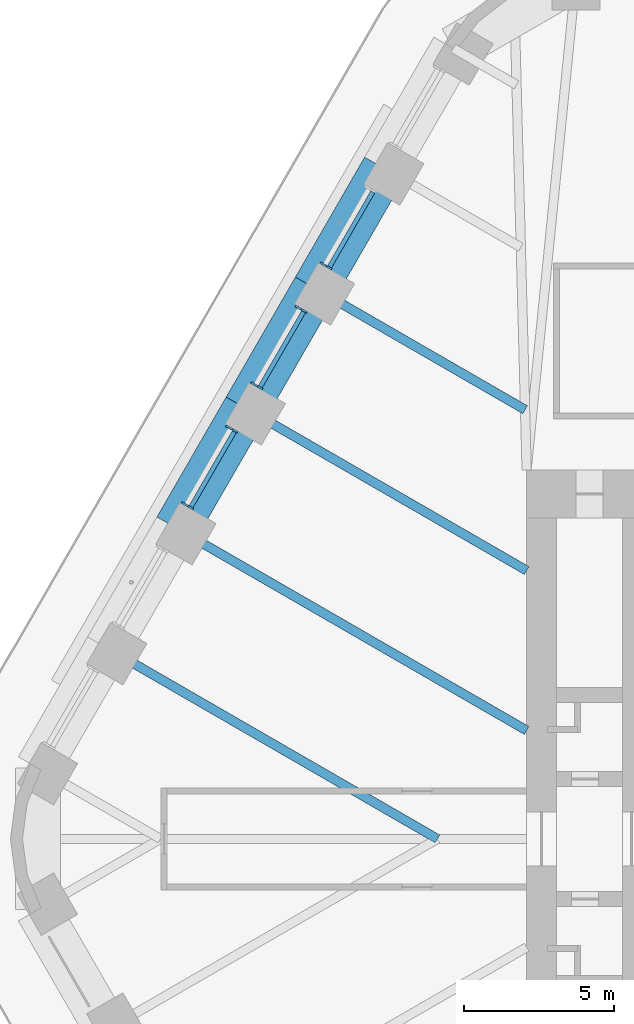
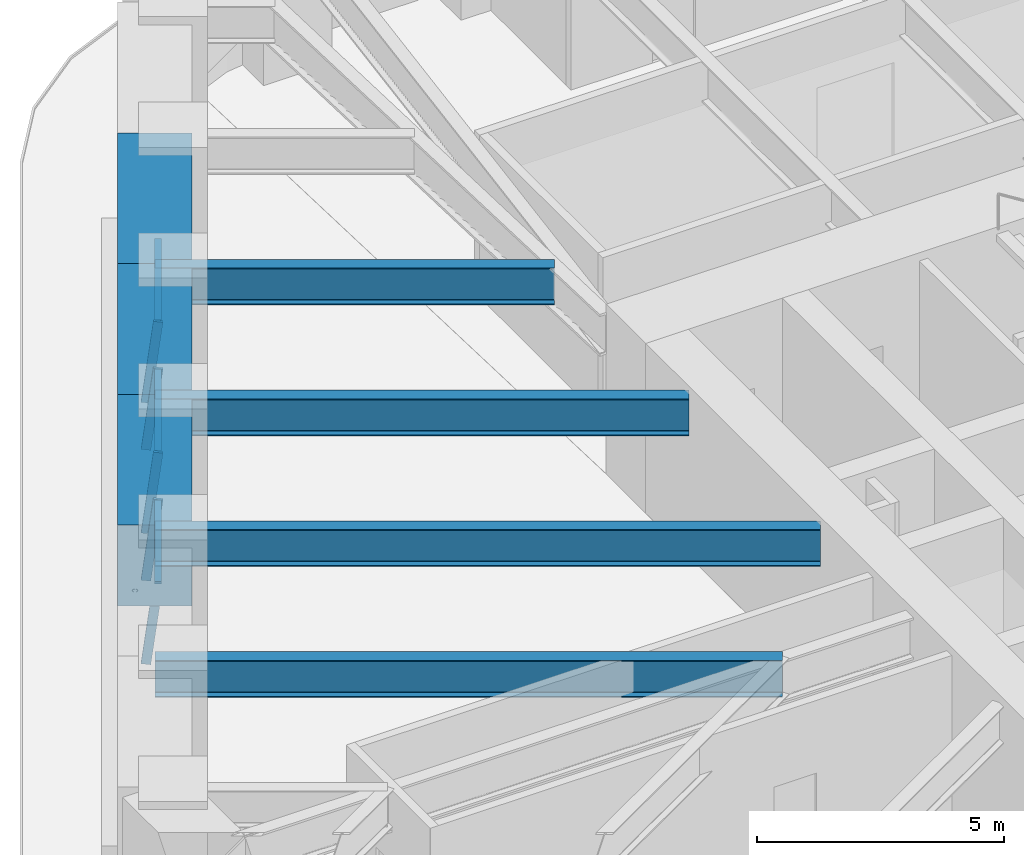
# One storey, part 7 of 20: 8 members, 7 beams, 3 elements without a shape of their own.
"""IFC4 building model written with IfcOpenShell, lengths in metres."""

from ifc_helpers import new_model, si_unit, direction, frame, origin, origin_2d, place, context, subcontext, project, spatial, rectangle, i_section, extrude, material, material_profile, profile_set, type_object, element, aggregate, save


model = new_model("IFC4")

# Units and contexts
model_context = context("Model", 3, precision=1e-05, world=origin(), true_north=direction((0.0, 1.0)))
body_context = subcontext(model_context, "Body", "Model", "MODEL_VIEW")
ifc_project = project(units=[si_unit("LENGTHUNIT", "METRE"), si_unit("AREAUNIT", "SQUARE_METRE"), si_unit("VOLUMEUNIT", "CUBIC_METRE"), si_unit("PLANEANGLEUNIT", "RADIAN"), si_unit("MASSUNIT", "GRAM", prefix="KILO")], contexts=[model_context])

# Site, building, storey
site_placement = place(None, origin())
site = spatial("IfcSite", under=ifc_project, at=site_placement, CompositionType="ELEMENT")
building_placement = place(site_placement, origin())
building = spatial("IfcBuilding", under=site, at=building_placement, Name="Tarfa Lantern Tower", CompositionType="ELEMENT")
storey_placement = place(building_placement, frame((0.0, 0.0, 223.89990234375)))
storey = spatial("IfcBuildingStorey", under=building, at=storey_placement, Name="L50", CompositionType="ELEMENT", Elevation=223.89990234375)

# Curtain wall, member
ifc_material_1 = material(Name="Aluminium framed curtain wall", Category="aluminium")
curtain_wall_type = type_object("IfcCurtainWallType", Name="CW3 CANTED GLAZING HIGH ZONE 2000", PredefinedType="USERDEFINED", material=ifc_material_1)
curtain_wall_1_placement = place(storey_placement, origin())
curtain_wall_1 = element("IfcCurtainWall", 1, at=curtain_wall_1_placement, inside=storey, type_object=curtain_wall_type, Name="CW3 NW L50", ObjectType="CURTAIN WALL", PredefinedType="USERDEFINED")
ifc_material_2 = material(Name="Aluminium mullion", Category="aluminium")
ifc_material_profile_1 = material_profile(ifc_material_2, rectangle(XDim=0.06494140625, YDim=0.199951171875, at=origin_2d()), Name="AL MULLION 65x200")
ifc_profile_set_1 = profile_set([ifc_material_profile_1], Name="Aluminium mullion")
member_type_1 = type_object("IfcMemberType", Name="CWM1 MULLION 65x200", PredefinedType="MULLION", material=ifc_profile_set_1)
member_1_placement = place(storey_placement, frame((-22.302490234375, 19.1708984375, 0.0), z_axis=(0.107439978116, -0.062017213975, 0.992275423596), x_axis=(0.499919672301, 0.866071776036, 0.0)))
member_1 = element("IfcMember", 2, at=member_1_placement, type_object=member_type_1, Name="CW3 mullion 2", PredefinedType="MULLION", context=body_context, shape_type="SweptSolid", body=[
    extrude(rectangle(XDim=0.06494140625, YDim=0.199951171875, at=origin_2d()), origin(), (0.0, 0.0, 1.0), 2.015625),
])

# Curtain wall, members
curtain_wall_2_placement = place(storey_placement, origin())
curtain_wall_2 = element("IfcCurtainWall", 3, at=curtain_wall_2_placement, inside=storey, type_object=curtain_wall_type, Name="CW3 NW L50", ObjectType="CURTAIN WALL", PredefinedType="USERDEFINED")
member_2_placement = place(storey_placement, frame((-23.135009765625, 17.72900390625, 0.0), z_axis=(0.107439978116, -0.062017213975, 0.992275423596), x_axis=(0.499919672301, 0.866071776036, 0.0)))
member_2 = element("IfcMember", 4, at=member_2_placement, type_object=member_type_1, Name="CW3 mullion 1", PredefinedType="MULLION", context=body_context, shape_type="SweptSolid", body=[
    extrude(rectangle(XDim=0.06494140625, YDim=0.199951171875, at=origin_2d()), origin(), (0.0, 0.0, 1.0), 2.015625),
])
member_3_placement = place(storey_placement, frame((-24.61181640625, 15.1708984375, 0.0), z_axis=(0.107439978116, -0.062017213975, 0.992275423596), x_axis=(0.499919672301, 0.866071776036, 0.0)))
member_3 = element("IfcMember", 5, at=member_3_placement, type_object=member_type_1, Name="CW3 mullion 2", PredefinedType="MULLION", context=body_context, shape_type="SweptSolid", body=[
    extrude(rectangle(XDim=0.06494140625, YDim=0.199951171875, at=origin_2d()), origin(), (0.0, 0.0, 1.0), 2.015625),
])

curtain_wall_3_placement = place(storey_placement, origin())
curtain_wall_3 = element("IfcCurtainWall", 6, at=curtain_wall_3_placement, inside=storey, type_object=curtain_wall_type, Name="CW3 NW L50", ObjectType="CURTAIN WALL", PredefinedType="USERDEFINED")
member_4_placement = place(storey_placement, frame((-25.4443359375, 13.72900390625, 0.0), z_axis=(0.107439978116, -0.062017213975, 0.992275423596), x_axis=(0.499919672301, 0.866071776036, 0.0)))
member_4 = element("IfcMember", 7, at=member_4_placement, type_object=member_type_1, Name="CW3 mullion 1", PredefinedType="MULLION", context=body_context, shape_type="SweptSolid", body=[
    extrude(rectangle(XDim=0.06494140625, YDim=0.199951171875, at=origin_2d()), origin(), (0.0, 0.0, 1.0), 2.015625),
])
member_5_placement = place(storey_placement, frame((-26.92138671875, 11.1708984375, 0.0), z_axis=(0.107439978116, -0.062017213975, 0.992275423596), x_axis=(0.499919672301, 0.866071776036, 0.0)))
member_5 = element("IfcMember", 8, at=member_5_placement, type_object=member_type_1, Name="CW3 mullion 2", PredefinedType="MULLION", context=body_context, shape_type="SweptSolid", body=[
    extrude(rectangle(XDim=0.06494140625, YDim=0.199951171875, at=origin_2d()), origin(), (0.0, 0.0, 1.0), 2.015625),
])

# Member
ifc_material_3 = material(Name="Aluminium transom", Category="aluminium")
ifc_material_profile_2 = material_profile(ifc_material_3, rectangle(XDim=0.14990234375, YDim=0.06494140625, at=origin_2d()), Name="AL TRANSOM 150x65")
ifc_profile_set_2 = profile_set([ifc_material_profile_2], Name="Aluminium transom")
member_type_2 = type_object("IfcMemberType", Name="CWT1 TRANSOM 150x65", PredefinedType="USERDEFINED", material=ifc_profile_set_2)
member_6_placement = place(storey_placement, frame((-20.62890625, 21.577880859375, 1.967529296875), z_axis=(-0.499993141028, -0.866029363778, 0.0), x_axis=(0.866029363778, -0.499993141028, 0.0)))
member_6 = element("IfcMember", 9, at=member_6_placement, type_object=member_type_2, Name="CW3 transom 1.2", ObjectType="TRANSOM", PredefinedType="USERDEFINED", context=body_context, shape_type="SweptSolid", body=[
    extrude(rectangle(XDim=0.14990234375, YDim=0.06494140625, at=origin_2d()), origin(), (0.0, 0.0, 1.0), 2.888671875),
])

aggregate(curtain_wall_1, [member_1, member_6])

member_7_placement = place(storey_placement, frame((-22.938232421875, 17.577880859375, 1.967529296875), z_axis=(-0.499993141028, -0.866029363778, 0.0), x_axis=(0.866029363778, -0.499993141028, 0.0)))
member_7 = element("IfcMember", 10, at=member_7_placement, type_object=member_type_2, Name="CW3 transom 1.2", ObjectType="TRANSOM", PredefinedType="USERDEFINED", context=body_context, shape_type="SweptSolid", body=[
    extrude(rectangle(XDim=0.14990234375, YDim=0.06494140625, at=origin_2d()), origin(), (0.0, 0.0, 1.0), 2.888671875),
])

aggregate(curtain_wall_2, [member_2, member_3, member_7])

member_8_placement = place(storey_placement, frame((-25.24755859375, 13.577880859375, 1.967529296875), z_axis=(-0.500056524144, -0.865992767095, 0.0), x_axis=(0.865992767095, -0.500056524144, 0.0)))
member_8 = element("IfcMember", 11, at=member_8_placement, type_object=member_type_2, Name="CW3 transom 1.2", ObjectType="TRANSOM", PredefinedType="USERDEFINED", context=body_context, shape_type="SweptSolid", body=[
    extrude(rectangle(XDim=0.14990234375, YDim=0.06494140625, at=origin_2d()), origin(), (0.0, 0.0, 1.0), 2.888916015625),
])

aggregate(curtain_wall_3, [member_4, member_5, member_8])

# Beams
ifc_material_4 = material(Name="Concrete C80/95", Category="concrete")
ifc_material_profile_3 = material_profile(ifc_material_4, rectangle(XDim=1.5, YDim=2.0, at=origin_2d()), Name="RC 1500x2000")
ifc_profile_set_3 = profile_set([ifc_material_profile_3], Name="Concrete C80/95")
beam_type_1 = type_object("IfcBeamType", Name="RB3 RC 1500x2000", PredefinedType="BEAM", material=ifc_profile_set_3)
beam_1_placement = place(storey_placement, frame((-20.25341796875, 22.360107421875, 3.0), z_axis=(-0.499987836815, -0.866032426089, 0.0), x_axis=(0.866032426089, -0.499987836815, 0.0)))
element("IfcBeam", 12, at=beam_1_placement, inside=storey, type_object=beam_type_1, Name="Edge beam NW1", PredefinedType="BEAM", context=body_context, shape_type="SweptSolid", body=[
    extrude(rectangle(XDim=1.5, YDim=2.0, at=origin_2d()), origin(), (0.0, 0.0, 1.0), 4.61865234375),
])
beam_2_placement = place(storey_placement, frame((-22.562744140625, 18.360107421875, 3.0), z_axis=(-0.500027479704, -0.866009537788, 0.0), x_axis=(0.866009537788, -0.500027479704, 0.0)))
element("IfcBeam", 13, at=beam_2_placement, inside=storey, type_object=beam_type_1, Name="Edge beam NW2", PredefinedType="BEAM", context=body_context, shape_type="SweptSolid", body=[
    extrude(rectangle(XDim=1.5, YDim=2.0, at=origin_2d()), origin(), (0.0, 0.0, 1.0), 4.618896484375),
])
beam_3_placement = place(storey_placement, frame((-24.872314453125, 14.360107421875, 3.0), z_axis=(-0.499987836815, -0.866032426089, 0.0), x_axis=(0.866032426089, -0.499987836815, 0.0)))
element("IfcBeam", 14, at=beam_3_placement, inside=storey, type_object=beam_type_1, Name="Edge beam NW3", PredefinedType="BEAM", context=body_context, shape_type="SweptSolid", body=[
    extrude(rectangle(XDim=1.5, YDim=2.0, at=origin_2d()), origin(), (0.0, 0.0, 1.0), 4.61865234375),
])
ifc_material_5 = material(Name="Steel S460M", Category="steel")
ifc_material_profile_4 = material_profile(ifc_material_5, i_section(OverallWidth=0.305419921875, OverallDepth=0.91845703125, WebThickness=0.017333984375, FlangeThickness=0.02783203125, FilletRadius=0.01904296875, at=origin_2d()), Name="UB914x305x253")
ifc_profile_set_4 = profile_set([ifc_material_profile_4], Name="Steel S460M")
beam_type_2 = type_object("IfcBeamType", Name="UB914x305x253", PredefinedType="BEAM", material=ifc_profile_set_4)
beam_4_placement = place(storey_placement, frame((-22.562744140625, 18.360107421875, 3.541015625), z_axis=(0.866010787764, -0.500025314835, 0.0), x_axis=(0.500025314835, 0.866010787764, 0.0)))
element("IfcBeam", 15, at=beam_4_placement, inside=storey, type_object=beam_type_2, Name="Floor beam NW2", PredefinedType="BEAM", context=body_context, shape_type="SweptSolid", body=[
    extrude(i_section(OverallWidth=0.305419921875, OverallDepth=0.91845703125, WebThickness=0.017333984375, FlangeThickness=0.02783203125, FilletRadius=0.01904296875, at=origin_2d()), origin(), (0.0, 0.0, 1.0), 8.09423828125),
])
beam_5_placement = place(storey_placement, frame((-24.872314453125, 14.360107421875, 3.541015625), z_axis=(0.8660244219, -0.500001700669, 0.0), x_axis=(0.500001700669, 0.8660244219, 0.0)))
element("IfcBeam", 16, at=beam_5_placement, inside=storey, type_object=beam_type_2, Name="Floor beam NW3", PredefinedType="BEAM", context=body_context, shape_type="SweptSolid", body=[
    extrude(i_section(OverallWidth=0.305419921875, OverallDepth=0.91845703125, WebThickness=0.017333984375, FlangeThickness=0.02783203125, FilletRadius=0.01904296875, at=origin_2d()), origin(), (0.0, 0.0, 1.0), 10.822265625),
])
beam_6_placement = place(storey_placement, frame((-27.181640625, 10.360107421875, 3.541015625), z_axis=(0.866018002818, -0.500012818631, 0.0), x_axis=(0.500012818631, 0.866018002818, 0.0)))
element("IfcBeam", 17, at=beam_6_placement, inside=storey, type_object=beam_type_2, Name="Floor beam NW4", PredefinedType="BEAM", context=body_context, shape_type="SweptSolid", body=[
    extrude(i_section(OverallWidth=0.305419921875, OverallDepth=0.91845703125, WebThickness=0.017333984375, FlangeThickness=0.02783203125, FilletRadius=0.01904296875, at=origin_2d()), origin(), (0.0, 0.0, 1.0), 13.489013671875),
])
beam_7_placement = place(storey_placement, frame((-29.490966796875, 6.360107421875, 3.541015625), z_axis=(0.866022258038, -0.500005448553, 0.0), x_axis=(0.500005448553, 0.866022258038, 0.0)))
element("IfcBeam", 18, at=beam_7_placement, inside=storey, type_object=beam_type_2, Name="Floor beam NW5", PredefinedType="BEAM", context=body_context, shape_type="SweptSolid", body=[
    extrude(i_section(OverallWidth=0.305419921875, OverallDepth=0.91845703125, WebThickness=0.017333984375, FlangeThickness=0.02783203125, FilletRadius=0.01904296875, at=origin_2d()), origin(), (0.0, 0.0, 1.0), 12.719970703125),
])

save(model, "model.ifc")
